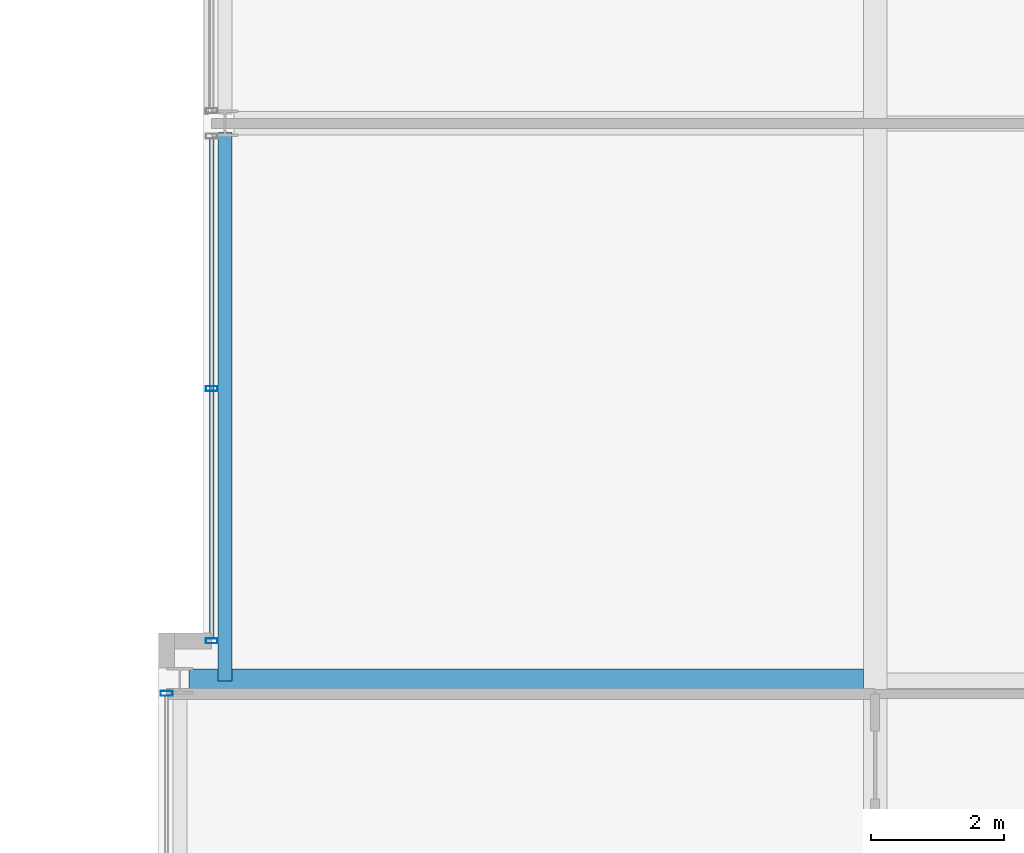
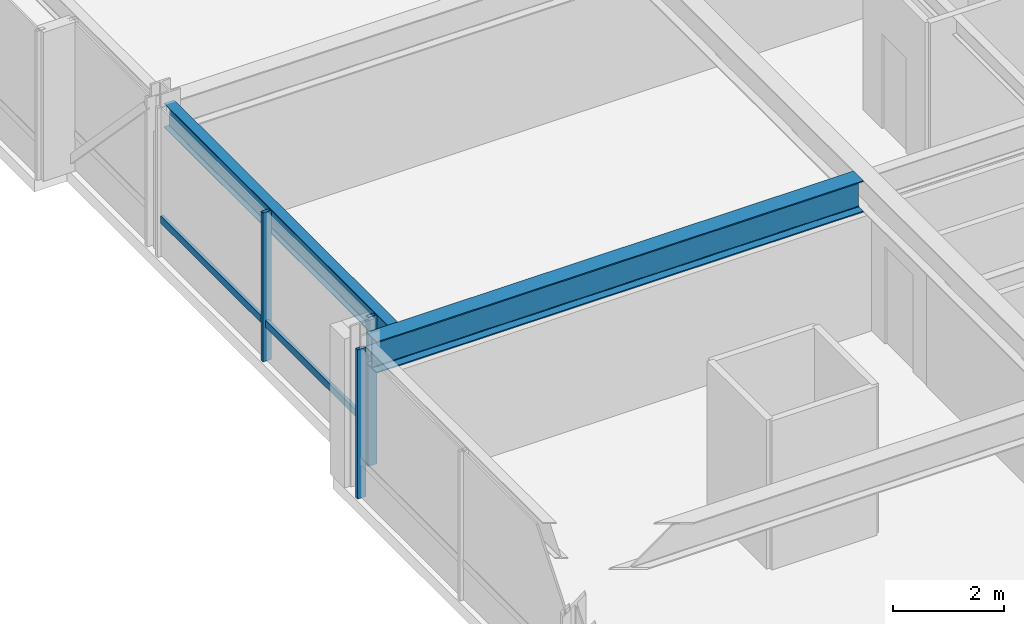
# One storey, part 7 of 32: 4 members, 2 beams, 2 elements without a shape of their own.
"""IFC4 building model written with IfcOpenShell, lengths in metres."""

from ifc_helpers import new_model, si_unit, direction, frame, origin, origin_2d, place, context, subcontext, project, spatial, hollow_rectangle, i_section, extrude, material, layer, layer_set, material_profile, profile_set, type_object, element, aggregate, save


model = new_model("IFC4")

# Units and contexts
model_context = context("Model", 3, precision=1e-05, world=origin(), true_north=direction((0.0, 1.0)))
body_context = subcontext(model_context, "Body", "Model", "MODEL_VIEW")
ifc_project = project(units=[si_unit("LENGTHUNIT", "METRE"), si_unit("AREAUNIT", "SQUARE_METRE"), si_unit("VOLUMEUNIT", "CUBIC_METRE"), si_unit("PLANEANGLEUNIT", "RADIAN"), si_unit("MASSUNIT", "GRAM", prefix="KILO")], contexts=[model_context])

# Site, building, storey
site_placement = place(None, origin())
site = spatial("IfcSite", under=ifc_project, at=site_placement, CompositionType="ELEMENT")
building_placement = place(site_placement, origin())
building = spatial("IfcBuilding", under=site, at=building_placement, Name="Drelvath Grand Hotel", CompositionType="ELEMENT")
storey_placement = place(building_placement, frame((0.0, 0.0, 182.35009765625)))
storey = spatial("IfcBuildingStorey", under=building, at=storey_placement, Name="L47", CompositionType="ELEMENT", Elevation=182.35009765625)

# Curtain wall, member
ifc_material_1 = material(Name="Brushed Pale-Silver Anodised Aluminium Frame", Category="aluminium")
ifc_layer = layer(ifc_material_1, 0.199951171875)
ifc_layer_set = layer_set([ifc_layer], Name="Brushed Pale-Silver Anodised Aluminium Frame")
curtain_wall_type = type_object("IfcCurtainWallType", Name="Stick Curtain Wall CW-04 Brushed Silver Upper-Mid", PredefinedType="NOTDEFINED", material=ifc_layer_set)
curtain_wall_1_placement = place(storey_placement, origin())
curtain_wall_1 = element("IfcCurtainWall", 1, at=curtain_wall_1_placement, inside=storey, type_object=curtain_wall_type, Name="L47 CW-04 Curtain Wall CW04-L47-WM1", PredefinedType="NOTDEFINED")
ifc_material_profile_1 = material_profile(ifc_material_1, hollow_rectangle(XDim=0.06494140625, YDim=0.159912109375, WallThickness=0.00390625, at=origin_2d()), Name="HSS160X65X4")
ifc_profile_set_1 = profile_set([ifc_material_profile_1], Name="Brushed Pale-Silver Anodised Aluminium Frame")
member_type_1 = type_object("IfcMemberType", Name="Curtain Wall Horizontal Transom CW-04 HSS160X65X4", PredefinedType="USERDEFINED", material=ifc_profile_set_1)
member_1_placement = place(storey_placement, frame((-26.199951171875, 19.239990234375, 0.822509765625), z_axis=(0.0, 1.0, 0.0), x_axis=(-1.0, 0.0, 0.0)))
member_1 = element("IfcMember", 2, at=member_1_placement, type_object=member_type_1, Name="CW04-L47-WM1 Sill Transom", ObjectType="TRANSOM", PredefinedType="USERDEFINED", context=body_context, shape_type="SweptSolid", body=[
    extrude(hollow_rectangle(XDim=0.06494140625, YDim=0.159912109375, WallThickness=0.00390625, at=origin_2d()), origin(), (0.0, 0.0, 1.0), 7.5283203125),
])

curtain_wall_2_placement = place(storey_placement, origin())
curtain_wall_2 = element("IfcCurtainWall", 3, at=curtain_wall_2_placement, inside=storey, type_object=curtain_wall_type, Name="L47 CW-04 Curtain Wall CW04-L47-WS2", PredefinedType="NOTDEFINED")
ifc_material_profile_2 = material_profile(ifc_material_1, hollow_rectangle(XDim=0.074951171875, YDim=0.179931640625, WallThickness=0.0048828125, at=origin_2d()), Name="HSS180X75X5")
ifc_profile_set_2 = profile_set([ifc_material_profile_2], Name="Brushed Pale-Silver Anodised Aluminium Frame")
member_type_2 = type_object("IfcMemberType", Name="Curtain Wall Vertical Mullion CW-04 HSS180X75X5", PredefinedType="MULLION", material=ifc_profile_set_2)
member_2_placement = place(storey_placement, frame((-26.8798828125, 18.408447265625, 0.0), z_axis=(0.0, 0.0, 1.0), x_axis=(0.0, 1.0, 0.0)))
member_2 = element("IfcMember", 4, at=member_2_placement, type_object=member_type_2, Name="CW04-L47-WS2 Mullion 3", PredefinedType="MULLION", context=body_context, shape_type="SweptSolid", body=[
    extrude(hollow_rectangle(XDim=0.074951171875, YDim=0.179931640625, WallThickness=0.0048828125, at=origin_2d()), origin(), (0.0, 0.0, 1.0), 3.289794921875),
])
aggregate(curtain_wall_2, [member_2])

# Member
member_3_placement = place(storey_placement, frame((-26.199951171875, 19.199951171875, 0.0), z_axis=(0.0, 0.0, 1.0), x_axis=(0.0, 1.0, 0.0)))
member_3 = element("IfcMember", 5, at=member_3_placement, type_object=member_type_2, Name="CW04-L47-WM1 Mullion 1", PredefinedType="MULLION", context=body_context, shape_type="SweptSolid", body=[
    extrude(hollow_rectangle(XDim=0.074951171875, YDim=0.179931640625, WallThickness=0.0048828125, at=origin_2d()), origin(), (0.0, 0.0, 1.0), 3.289794921875),
])

member_4_placement = place(storey_placement, frame((-26.199951171875, 23.004150390625, 0.0), z_axis=(0.0, 0.0, 1.0), x_axis=(0.0, 1.0, 0.0)))
member_4 = element("IfcMember", 6, at=member_4_placement, type_object=member_type_2, Name="CW04-L47-WM1 Mullion 2", PredefinedType="MULLION", context=body_context, shape_type="SweptSolid", body=[
    extrude(hollow_rectangle(XDim=0.074951171875, YDim=0.179931640625, WallThickness=0.0048828125, at=origin_2d()), origin(), (0.0, 0.0, 1.0), 3.289794921875),
])

aggregate(curtain_wall_1, [member_3, member_4, member_1])

# Beams
ifc_material_2 = material(Name="Steel ASTM A992 Gr 50", Category="steel")
ifc_material_profile_3 = material_profile(ifc_material_2, i_section(OverallWidth=0.210205078125, OverallDepth=0.53662109375, WebThickness=0.010986328125, FlangeThickness=0.017333984375, FilletRadius=0.01806640625, at=origin_2d()), Name="W21X68")
ifc_profile_set_3 = profile_set([ifc_material_profile_3], Name="Steel ASTM A992 Gr 50")
beam_type_1 = type_object("IfcBeamType", Name="Perimeter Spandrel Beam W21X68", PredefinedType="SPANDREL", material=ifc_profile_set_3)
beam_1_placement = place(storey_placement, frame((-26.0, 18.60009765625, 3.021484375), z_axis=(0.0, 1.0, 0.0), x_axis=(-1.0, 0.0, 0.0)))
element("IfcBeam", 7, at=beam_1_placement, inside=storey, type_object=beam_type_1, Name="L47 Spandrel West Mid S", PredefinedType="SPANDREL", context=body_context, shape_type="SweptSolid", body=[
    extrude(i_section(OverallWidth=0.210205078125, OverallDepth=0.53662109375, WebThickness=0.010986328125, FlangeThickness=0.017333984375, FilletRadius=0.01806640625, at=origin_2d()), origin(), (0.0, 0.0, 1.0), 8.260009765625),
])
ifc_material_profile_4 = material_profile(ifc_material_2, i_section(OverallWidth=0.354736328125, OverallDepth=0.695556640625, WebThickness=0.015380859375, FlangeThickness=0.025146484375, FilletRadius=0.02392578125, at=origin_2d()), Name="W27X146")
ifc_profile_set_4 = profile_set([ifc_material_profile_4], Name="Steel ASTM A992 Gr 50")
beam_type_2 = type_object("IfcBeamType", Name="Primary Floor Girder W27X146", PredefinedType="BEAM", material=ifc_profile_set_4)
beam_2_placement = place(storey_placement, frame((-26.5400390625, 18.60009765625, 2.942138671875), z_axis=(1.0, 0.0, 0.0), x_axis=(0.0, 1.0, 0.0)))
element("IfcBeam", 8, at=beam_2_placement, inside=storey, type_object=beam_type_2, Name="L47 West Wing Girder D", PredefinedType="BEAM", context=body_context, shape_type="SweptSolid", body=[
    extrude(i_section(OverallWidth=0.354736328125, OverallDepth=0.695556640625, WebThickness=0.015380859375, FlangeThickness=0.025146484375, FilletRadius=0.02392578125, at=origin_2d()), origin(), (0.0, 0.0, 1.0), 10.16259765625),
])

save(model, "model.ifc")
